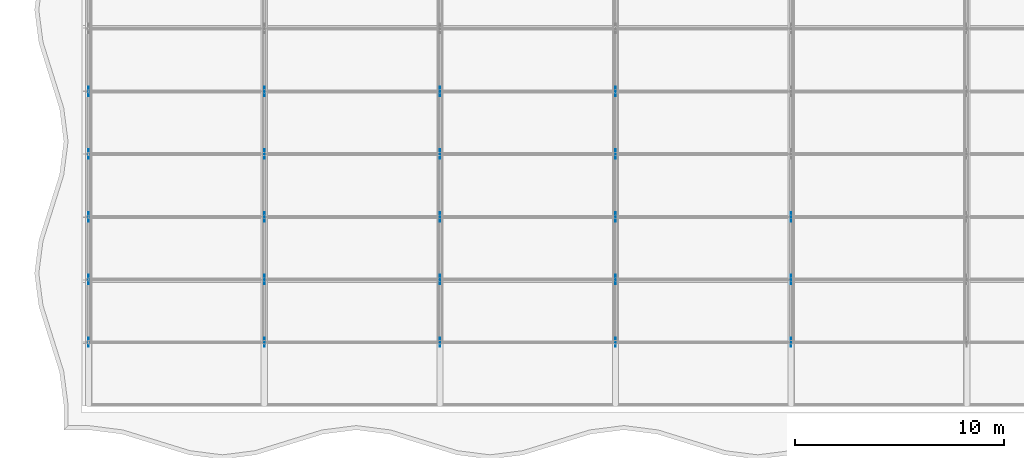
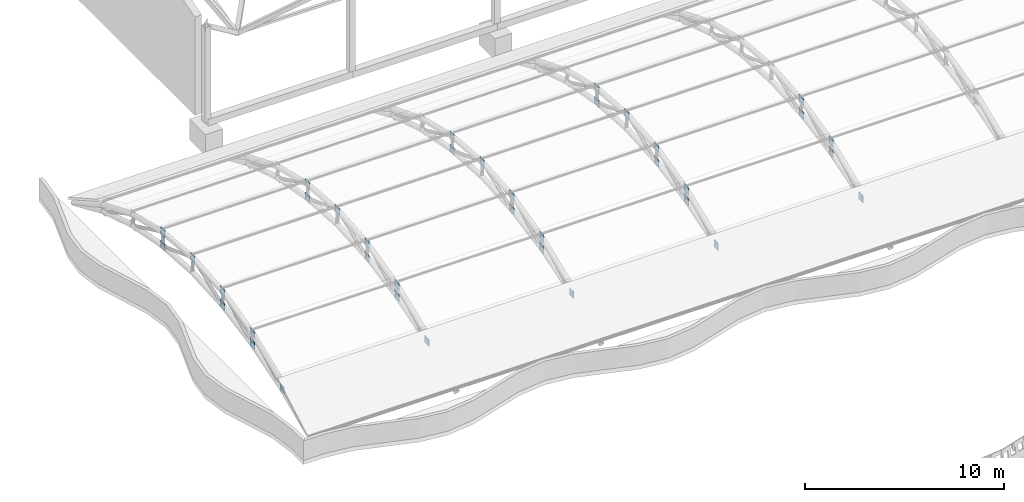
# One storey, part 120 of 163: 37 discrete accessories.
"""IFC4 building model written with IfcOpenShell, lengths in metres."""

from ifc_helpers import new_model, si_unit, direction, frame, origin, origin_2d, place, context, subcontext, project, spatial, rectangle, extrude, material, layer, layer_set, type_object, element, save


model = new_model("IFC4")

# Units and contexts
model_context = context("Model", 3, precision=1e-05, world=origin(), true_north=direction((0.0, 1.0)))
body_context = subcontext(model_context, "Body", "Model", "MODEL_VIEW")
ifc_project = project(units=[si_unit("LENGTHUNIT", "METRE"), si_unit("AREAUNIT", "SQUARE_METRE"), si_unit("VOLUMEUNIT", "CUBIC_METRE"), si_unit("PLANEANGLEUNIT", "RADIAN"), si_unit("MASSUNIT", "GRAM", prefix="KILO")], contexts=[model_context])

# Site, building, storey
site_placement = place(None, origin())
site = spatial("IfcSite", under=ifc_project, at=site_placement, CompositionType="ELEMENT")
building_placement = place(site_placement, origin())
building = spatial("IfcBuilding", under=site, at=building_placement, Name="Rain Tree Exposition and Congress Centre", CompositionType="ELEMENT")
storey_placement = place(building_placement, frame((0.0, 0.0, 10.5)))
storey = spatial("IfcBuildingStorey", under=building, at=storey_placement, Name="L02", CompositionType="ELEMENT", Elevation=10.5)

# Discrete accessories
ifc_material = material(Name="Steel plate S355J2", Category="steel")
ifc_layer = layer(ifc_material, 0.02001953125)
ifc_layer_set = layer_set([ifc_layer], Name="Steel plate S355J2")
discrete_accessory_type = type_object("IfcDiscreteAccessoryType", Name="Brace node plate 450x450x20", PredefinedType="BRACKET", material=ifc_layer_set)
for number, where, z_axis, x_axis, name in (
    (1, (0.0, 78.60009765625, 1.21728515625), (0.0, 0.0, 1.0), (0.0, 1.0, 0.0), "Brace node plate 450"),
    (2, (0.0, 81.60009765625, 2.830078125), (0.0, 0.0, 1.0), (0.0, -1.0, 0.0), "Brace node plate 450"),
    (3, (0.0, 81.60009765625, 2.15478515625), (0.0, 0.0, 1.0), (0.0, 1.0, 0.0), "Brace node plate 450"),
    (4, (0.0, 84.60009765625, 3.5615234375), (0.0, 0.0, 1.0), (0.0, -1.0, 0.0), "Brace node plate 450"),
    (5, (0.0, 84.60009765625, 2.71728515625), (0.0, 0.0, 1.0), (0.0, 1.0, 0.0), "Brace node plate 450"),
    (6, (0.0, 87.60009765625, 3.80517578125), (0.0, 0.0, 1.0), (0.0, 1.0, 0.0), "Brace node plate 450"),
    (7, (0.0, 90.60009765625, 2.71728515625), (0.0, 0.0, 1.0), (0.0, -1.0, 0.0), "Brace node plate 450"),
    (8, (0.0, 90.60009765625, 3.5615234375), (0.0, 0.0, 1.0), (0.0, 1.0, 0.0), "Brace node plate 450"),
    (9, (8.39990234375, 78.60009765625, 1.21728515625), (0.0, 0.0, 1.0), (0.0, 1.0, 0.0), "Brace node plate 450"),
    (10, (8.39990234375, 81.60009765625, 2.830078125), (0.0, 0.0, 1.0), (0.0, -1.0, 0.0), "Brace node plate 450"),
    (11, (8.39990234375, 81.60009765625, 2.15478515625), (0.0, 0.0, 1.0), (0.0, 1.0, 0.0), "Brace node plate 450"),
    (12, (8.39990234375, 84.60009765625, 3.5615234375), (0.0, 0.0, 1.0), (0.0, -1.0, 0.0), "Brace node plate 450"),
    (13, (8.39990234375, 84.60009765625, 2.71728515625), (0.0, 0.0, 1.0), (0.0, 1.0, 0.0), "Brace node plate 450"),
    (14, (8.39990234375, 87.60009765625, 3.80517578125), (0.0, 0.0, 1.0), (0.0, 1.0, 0.0), "Brace node plate 450"),
    (15, (8.39990234375, 90.60009765625, 2.71728515625), (0.0, 0.0, 1.0), (0.0, -1.0, 0.0), "Brace node plate 450"),
    (16, (8.39990234375, 90.60009765625, 3.5615234375), (0.0, 0.0, 1.0), (0.0, 1.0, 0.0), "Brace node plate 450"),
    (17, (16.800048828125, 78.60009765625, 1.21728515625), (0.0, 0.0, 1.0), (0.0, 1.0, 0.0), "Brace node plate 450"),
    (18, (16.800048828125, 81.60009765625, 2.830078125), (0.0, 0.0, 1.0), (0.0, -1.0, 0.0), "Brace node plate 450"),
    (19, (16.800048828125, 81.60009765625, 2.15478515625), (0.0, 0.0, 1.0), (0.0, 1.0, 0.0), "Brace node plate 450"),
    (20, (16.800048828125, 84.60009765625, 3.5615234375), (0.0, 0.0, 1.0), (0.0, -1.0, 0.0), "Brace node plate 450"),
    (21, (16.800048828125, 84.60009765625, 2.71728515625), (0.0, 0.0, 1.0), (0.0, 1.0, 0.0), "Brace node plate 450"),
    (22, (16.800048828125, 87.60009765625, 3.80517578125), (0.0, 0.0, 1.0), (0.0, 1.0, 0.0), "Brace node plate 450"),
    (23, (16.800048828125, 90.60009765625, 2.71728515625), (0.0, 0.0, 1.0), (0.0, -1.0, 0.0), "Brace node plate 450"),
    (24, (16.800048828125, 90.60009765625, 3.5615234375), (0.0, 0.0, 1.0), (0.0, 1.0, 0.0), "Brace node plate 450"),
    (25, (25.199951171875, 78.60009765625, 1.21728515625), (0.0, 0.0, 1.0), (0.0, 1.0, 0.0), "Brace node plate 450"),
    (26, (25.199951171875, 81.60009765625, 2.830078125), (0.0, 0.0, 1.0), (0.0, -1.0, 0.0), "Brace node plate 450"),
    (27, (25.199951171875, 81.60009765625, 2.15478515625), (0.0, 0.0, 1.0), (0.0, 1.0, 0.0), "Brace node plate 450"),
    (28, (25.199951171875, 84.60009765625, 3.5615234375), (0.0, 0.0, 1.0), (0.0, -1.0, 0.0), "Brace node plate 450"),
    (29, (25.199951171875, 84.60009765625, 2.71728515625), (0.0, 0.0, 1.0), (0.0, 1.0, 0.0), "Brace node plate 450"),
    (30, (25.199951171875, 87.60009765625, 3.80517578125), (0.0, 0.0, 1.0), (0.0, 1.0, 0.0), "Brace node plate 450"),
    (31, (25.199951171875, 90.60009765625, 2.71728515625), (0.0, 0.0, 1.0), (0.0, -1.0, 0.0), "Brace node plate 450"),
    (32, (25.199951171875, 90.60009765625, 3.5615234375), (0.0, 0.0, 1.0), (0.0, 1.0, 0.0), "Brace node plate 450"),
    (33, (33.60009765625, 78.60009765625, 1.21728515625), (0.0, 0.0, 1.0), (0.0, 1.0, 0.0), "Brace node plate 450"),
    (34, (33.60009765625, 81.60009765625, 2.830078125), (0.0, 0.0, 1.0), (0.0, -1.0, 0.0), "Brace node plate 450"),
    (35, (33.60009765625, 81.60009765625, 2.15478515625), (0.0, 0.0, 1.0), (0.0, 1.0, 0.0), "Brace node plate 450"),
    (36, (33.60009765625, 84.60009765625, 3.5615234375), (0.0, 0.0, 1.0), (0.0, -1.0, 0.0), "Brace node plate 450"),
    (37, (33.60009765625, 84.60009765625, 2.71728515625), (0.0, 0.0, 1.0), (0.0, 1.0, 0.0), "Brace node plate 450"),
):
    element("IfcDiscreteAccessory", number, at=place(storey_placement, frame(where, z_axis=z_axis, x_axis=x_axis)), inside=storey, type_object=discrete_accessory_type, Name=name, PredefinedType="BRACKET", context=body_context, shape_type="SweptSolid", body=[
        extrude(rectangle(XDim=0.449951171875, YDim=0.02001953125, at=origin_2d()), origin(), (0.0, 0.0, 1.0), 0.449951171875),
    ])

save(model, "model.ifc")
